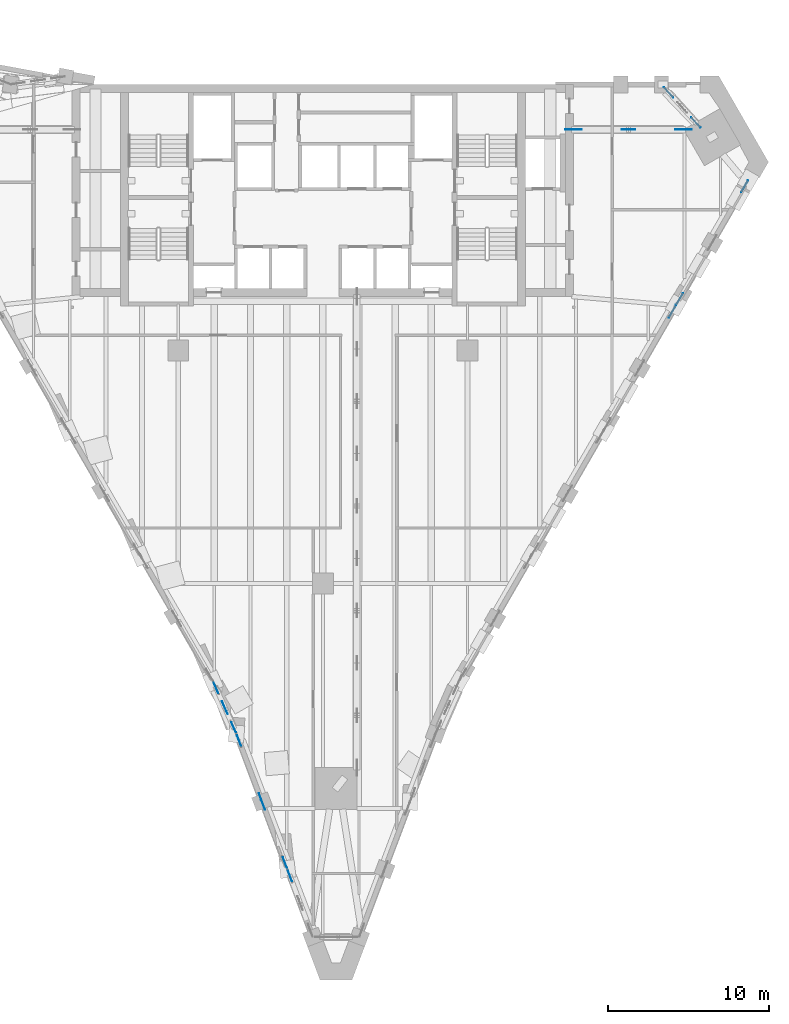
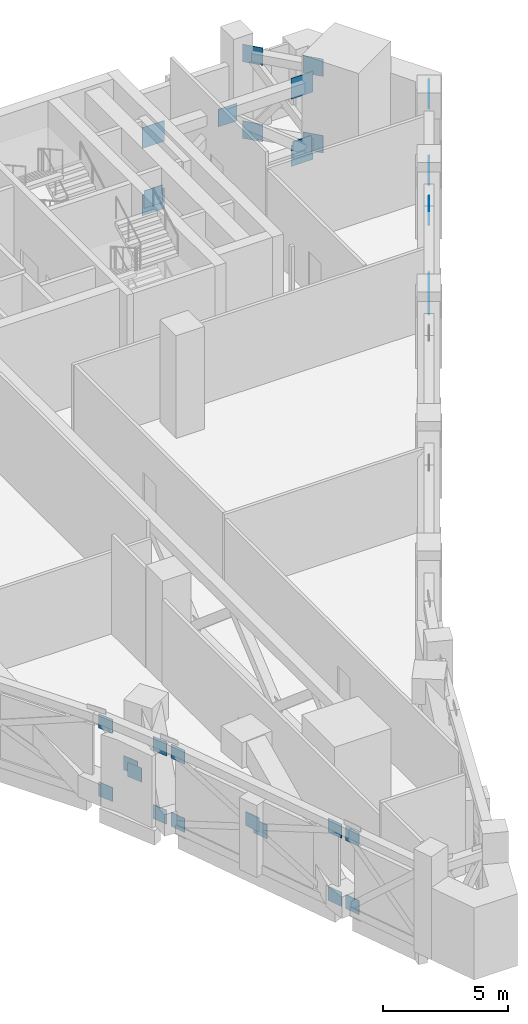
# One storey, part 16 of 22: 30 discrete accessories.
"""IFC4 building model written with IfcOpenShell, lengths in metres."""

from ifc_helpers import new_model, si_unit, direction, frame, origin, origin_2d, place, context, subcontext, project, spatial, rectangle, extrude, material, type_object, element, save


model = new_model("IFC4")

# Units and contexts
model_context = context("Model", 3, precision=1e-05, world=origin(), true_north=direction((0.0, 1.0)))
body_context = subcontext(model_context, "Body", "Model", "MODEL_VIEW")
ifc_project = project(units=[si_unit("LENGTHUNIT", "METRE"), si_unit("AREAUNIT", "SQUARE_METRE"), si_unit("VOLUMEUNIT", "CUBIC_METRE"), si_unit("PLANEANGLEUNIT", "RADIAN"), si_unit("MASSUNIT", "GRAM", prefix="KILO")], contexts=[model_context])

# Site, building, storey
site_placement = place(None, origin())
site = spatial("IfcSite", under=ifc_project, at=site_placement, CompositionType="ELEMENT")
building_placement = place(site_placement, origin())
building = spatial("IfcBuilding", under=site, at=building_placement, Name="Calabash Gate Tower", CompositionType="ELEMENT")
storey_placement = place(building_placement, frame((0.0, 0.0, 191.39990234375)))
storey = spatial("IfcBuildingStorey", under=building, at=storey_placement, Name="L45", CompositionType="ELEMENT", Elevation=191.39990234375)

# Discrete accessories
ifc_material = material(Name="Steel ASTM A572 Gr50", Category="steel")
discrete_accessory_type = type_object("IfcDiscreteAccessoryType", Name="Connection plate 25", PredefinedType="BRACKET", material=ifc_material)
for number, where, z_axis, x_axis, name in (
    (1, (-6.64404296875, -18.49560546875, 0.0625), (0.0, 0.0, 1.0), (0.406611762923, -0.913601047642, 0.0), "Connection plate Belt diagonal L45 8 start"),
    (2, (-5.552978515625, -20.947265625, 3.3798828125), (0.0, 0.0, 1.0), (0.406611762923, -0.913601047642, 0.0), "Connection plate Belt diagonal L45 8 end"),
    (3, (-6.64404296875, -18.49560546875, 3.3798828125), (0.0, 0.0, 1.0), (0.406612065884, -0.913600912805, 0.0), "Connection plate Belt diagonal (split) L45 9 half 1 of 2 start"),
    (4, (-6.13818359375, -19.6318359375, 1.84228515625), (0.0, 0.0, 1.0), (0.406612065884, -0.913600912805, 0.0), "Connection plate Belt diagonal (split) L45 9 half 1 of 2 end"),
    (5, (-6.05859375, -19.81103515625, 1.60009765625), (0.0, 0.0, 1.0), (0.40661139618, -0.913601210867, 0.0), "Connection plate Belt diagonal (split) L45 10 half 2 of 2 start"),
    (6, (-5.552978515625, -20.947265625, 0.0625), (0.0, 0.0, 1.0), (0.40661139618, -0.913601210867, 0.0), "Connection plate Belt diagonal (split) L45 10 half 2 of 2 end"),
    (7, (-5.211181640625, -21.7802734375, 0.0625), (0.0, 0.0, 1.0), (0.351822599016, -0.936066695712, 0.0), "Connection plate Belt diagonal L45 13 start"),
    (8, (-2.361572265625, -29.362548828125, 3.3798828125), (0.0, 0.0, 1.0), (0.351822599016, -0.936066695712, 0.0), "Connection plate Belt diagonal L45 13 end"),
    (9, (-5.211181640625, -21.7802734375, 3.3798828125), (0.0, 0.0, 1.0), (0.351822517328, -0.936066726415, 0.0), "Connection plate Belt diagonal (split) L45 14 half 1 of 2 start"),
    (10, (-3.857177734375, -25.383056640625, 1.8037109375), (0.0, 0.0, 1.0), (0.351822517328, -0.936066726415, 0.0), "Connection plate Belt diagonal (split) L45 14 half 1 of 2 end"),
    (11, (-3.715576171875, -25.759521484375, 1.638671875), (0.0, 0.0, 1.0), (0.351822517328, -0.936066726415, 0.0), "Connection plate Belt diagonal (split) L45 15 half 2 of 2 start"),
    (12, (-2.361572265625, -29.362548828125, 0.0625), (0.0, 0.0, 1.0), (0.351822517328, -0.936066726415, 0.0), "Connection plate Belt diagonal (split) L45 15 half 2 of 2 end"),
    (13, (-2.044921875, -30.204833984375, 0.0625), (0.0, 0.0, 1.0), (0.351822435641, -0.936066757117, 0.0), "Connection plate Belt diagonal L45 18 start"),
    (14, (-2.044921875, -30.204833984375, 3.3798828125), (0.0, 0.0, 1.0), (0.351822550003, -0.936066714134, 0.0), "Connection plate Belt diagonal (split) L45 19 half 1 of 2 start"),
):
    element("IfcDiscreteAccessory", number, at=place(storey_placement, frame(where, z_axis=z_axis, x_axis=x_axis)), inside=storey, type_object=discrete_accessory_type, Name=name, PredefinedType="BRACKET", context=body_context, shape_type="SweptSolid", body=[
        extrude(rectangle(XDim=0.687744140625, YDim=0.02490234375, at=origin_2d()), origin(), (0.0, 0.0, 1.0), 0.687744140625),
    ])
for number, where, z_axis, x_axis, name in (
    (15, (21.74658203125, 4.91064453125, -0.2216796875), (0.0, 0.0, 1.0), (0.49999993954, 0.866025438691, 0.0), "Connection plate Belt chord L45 51 end"),
    (16, (22.198974609375, 5.694091796875, 3.501953125), (0.0, 0.0, 1.0), (0.500006892422, 0.866021424406, 0.0), "Connection plate Belt chord L45 52 end"),
    (17, (22.19677734375, 5.690185546875, -0.2216796875), (0.0, 0.0, 1.0), (0.499999984885, 0.866025412511, 0.0), "Connection plate Belt chord L45 56 start"),
    (18, (26.24658203125, 12.705078125, -0.2216796875), (0.0, 0.0, 1.0), (0.499999984885, 0.866025412511, 0.0), "Connection plate Belt chord L45 56 end"),
    (19, (26.24658203125, 12.705078125, 3.501953125), (0.0, 0.0, 1.0), (0.499999984885, 0.866025412511, 0.0), "Connection plate Belt chord L45 57 end"),
    (20, (23.21533203125, 16.6875, -0.2216796875), (0.0, 0.0, 1.0), (-0.671554079455, 0.740955544124, 0.0), "Connection plate Belt chord L45 61 start"),
    (21, (21.521728515625, 18.55615234375, -0.2216796875), (0.0, 0.0, 1.0), (-0.671554079455, 0.740955544124, 0.0), "Connection plate Belt chord L45 61 end"),
    (22, (23.21533203125, 16.6875, 3.501953125), (0.0, 0.0, 1.0), (-0.671554079455, 0.740955544124, 0.0), "Connection plate Belt chord L45 62 start"),
    (23, (21.521728515625, 18.55615234375, 3.501953125), (0.0, 0.0, 1.0), (-0.671554079455, 0.740955544124, 0.0), "Connection plate Belt chord L45 62 end"),
):
    element("IfcDiscreteAccessory", number, at=place(storey_placement, frame(where, z_axis=z_axis, x_axis=x_axis)), inside=storey, type_object=discrete_accessory_type, Name=name, PredefinedType="BRACKET", context=body_context, shape_type="SweptSolid", body=[
        extrude(rectangle(XDim=0.850341796875, YDim=0.02490234375, at=origin_2d()), origin(), (0.0, 0.0, 1.0), 0.850341796875),
    ])
for number, where, z_axis, x_axis, name in (
    (24, (22.4462890625, 16.24365234375, -0.252197265625), (0.0, 0.0, 1.0), (-1.0, 0.0, 0.0), "Connection plate Outrigger chord L45 NE start"),
    (25, (15.60009765625, 16.24365234375, -0.252197265625), (0.0, 0.0, 1.0), (-1.0, 0.0, 0.0), "Connection plate Outrigger chord L45 NE end"),
    (26, (22.4462890625, 16.24365234375, 3.019775390625), (0.0, 0.0, 1.0), (-1.0, 0.0, 0.0), "Connection plate Outrigger chord L45 NE start"),
    (27, (15.60009765625, 16.24365234375, 3.019775390625), (0.0, 0.0, 1.0), (-1.0, 0.0, 0.0), "Connection plate Outrigger chord L45 NE end"),
):
    element("IfcDiscreteAccessory", number, at=place(storey_placement, frame(where, z_axis=z_axis, x_axis=x_axis)), inside=storey, type_object=discrete_accessory_type, Name=name, PredefinedType="BRACKET", context=body_context, shape_type="SweptSolid", body=[
        extrude(rectangle(XDim=1.0126953125, YDim=0.02490234375, at=origin_2d()), origin(), (0.0, 0.0, 1.0), 1.0126953125),
    ])
for number, where, z_axis, x_axis, name in (
    (28, (22.4462890625, 16.24365234375, 0.0830078125), (0.0, 0.0, 1.0), (-1.0, 0.0, 0.0), "Connection plate Outrigger diagonal L45 NE start"),
    (29, (19.023193359375, 16.24365234375, 2.84716796875), (0.0, 0.0, 1.0), (-1.0, 0.0, 0.0), "Connection plate Outrigger diagonal L45 NE end"),
    (30, (15.60009765625, 16.24365234375, 0.0830078125), (0.0, 0.0, 1.0), (-1.0, 0.0, 0.0), "Connection plate Outrigger diagonal L45 NE end"),
):
    element("IfcDiscreteAccessory", number, at=place(storey_placement, frame(where, z_axis=z_axis, x_axis=x_axis)), inside=storey, type_object=discrete_accessory_type, Name=name, PredefinedType="BRACKET", context=body_context, shape_type="SweptSolid", body=[
        extrude(rectangle(XDim=0.850341796875, YDim=0.02490234375, at=origin_2d()), origin(), (0.0, 0.0, 1.0), 0.850341796875),
    ])

save(model, "model.ifc")
